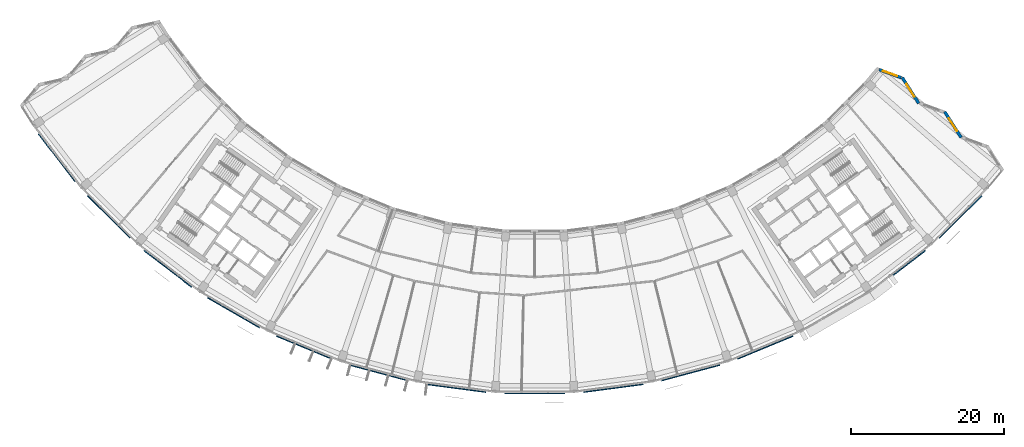
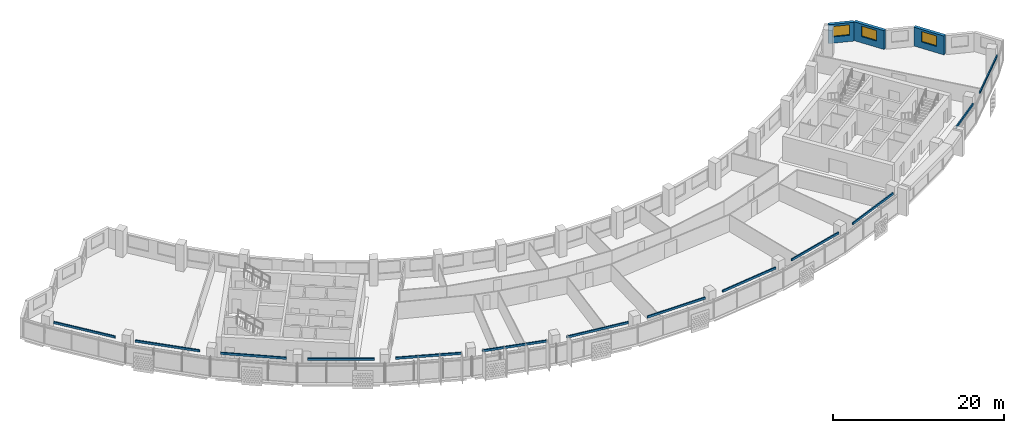
# One storey, part 8 of 27: 13 discrete accessories, 3 walls, 3 windows, 3 openings.
"""IFC4 building model written with IfcOpenShell, lengths in metres."""

from ifc_helpers import new_model, si_unit, direction, frame, frame_2d, origin, origin_2d, place, context, subcontext, project, spatial, rectangle, extrude, material, layer, layer_set, type_object, element, fill, save


model = new_model("IFC4")

# Units and contexts
model_context = context("Model", 3, precision=1e-05, world=origin(), true_north=direction((0.0, 1.0)))
body_context = subcontext(model_context, "Body", "Model", "MODEL_VIEW")
ifc_project = project(units=[si_unit("LENGTHUNIT", "METRE"), si_unit("AREAUNIT", "SQUARE_METRE"), si_unit("VOLUMEUNIT", "CUBIC_METRE"), si_unit("PLANEANGLEUNIT", "RADIAN"), si_unit("MASSUNIT", "GRAM", prefix="KILO")], contexts=[model_context])

# Site, building, storey
site_placement = place(None, origin())
site = spatial("IfcSite", under=ifc_project, at=site_placement, CompositionType="ELEMENT")
building_placement = place(site_placement, origin())
building = spatial("IfcBuilding", under=site, at=building_placement, Name="Qamariyya Broadcast Tower", CompositionType="ELEMENT")
storey_placement = place(building_placement, frame((0.0, 0.0, 237.89990234375)))
storey = spatial("IfcBuildingStorey", under=building, at=storey_placement, Name="L57", CompositionType="ELEMENT", Elevation=237.89990234375)

# Wall, opening, window
ifc_material_1 = material(Name="Terracotta", Category="masonry")
ifc_layer = layer(ifc_material_1, 0.39990234375)
ifc_layer_set = layer_set([ifc_layer], Name="Terracotta clad wall 400")
wall_type = type_object("IfcWallType", Name="Terracotta clad wall 400", PredefinedType="SOLIDWALL", material=ifc_layer_set)
wall_1_placement = place(storey_placement, frame((55.60546875, -45.20849609375, 0.0), z_axis=(0.0, 0.0, 1.0), x_axis=(-0.536800402033, 0.843709267685, 0.0)))
wall_1 = element("IfcWall", 1, at=wall_1_placement, inside=storey, type_object=wall_type, Name="e-wl-L57-capE2", PredefinedType="SOLIDWALL", context=body_context, shape_type="SweptSolid", body=[
    extrude(rectangle(XDim=3.997314453125, YDim=0.39990234375, at=frame_2d((1.99853515625, 0.0))), origin(), (0.0, 0.0, 1.0), 2.7001953125),
])
opening_1_placement = place(wall_1_placement, frame((0.998779296875, 0.0, 0.89990234375)))
opening_1 = element("IfcOpeningElement", 2, at=opening_1_placement, cuts=wall_1, Name="Opening W4", PredefinedType="OPENING", context=body_context, shape_type="SweptSolid", body=[
    extrude(rectangle(XDim=2.0, YDim=1.5, at=frame_2d((1.0, 0.75))), frame((0.0, 0.2099609375, 0.0), z_axis=(0.0, -1.0, 0.0), x_axis=(1.0, 0.0, 0.0)), (0.0, 0.0, 1.0), 0.419921875),
])
ifc_material_2 = material(Name="Clear low-e double glazed unit in aluminium frame", Category="aluminium")
window_type = type_object("IfcWindowType", Name="Horn bay window 2000 x 1500", PartitioningType="SINGLE_PANEL", PredefinedType="WINDOW", material=ifc_material_2)
window_1_placement = place(opening_1_placement, origin())
window_1 = element("IfcWindow", 3, at=window_1_placement, inside=storey, type_object=window_type, Name="e-w-L57-capE2", OverallHeight=1.5, OverallWidth=2.0, PartitioningType="SINGLE_PANEL", PredefinedType="WINDOW", context=body_context, shape_type="SweptSolid", body=[
    extrude(rectangle(XDim=2.0, YDim=1.5, at=frame_2d((1.0, 0.75))), frame((0.0, 0.030029296875, 0.0), z_axis=(0.0, -1.0, 0.0), x_axis=(1.0, 0.0, 0.0)), (0.0, 0.0, 1.0), 0.06005859375),
])
fill(opening_1, window_1)

wall_2_placement = place(storey_placement, frame((50.080810546875, -40.748779296875, 0.0), z_axis=(0.0, 0.0, 1.0), x_axis=(-0.536847834888, 0.843679087198, 0.0)))
wall_2 = element("IfcWall", 4, at=wall_2_placement, inside=storey, type_object=wall_type, Name="e-wl-L57-capE4", PredefinedType="SOLIDWALL", context=body_context, shape_type="SweptSolid", body=[
    extrude(rectangle(XDim=3.998291015625, YDim=0.39990234375, at=frame_2d((1.9990234375, 0.0))), origin(), (0.0, 0.0, 1.0), 2.7001953125),
])
opening_2_placement = place(wall_2_placement, frame((0.999267578125, 0.0, 0.89990234375)))
opening_2 = element("IfcOpeningElement", 5, at=opening_2_placement, cuts=wall_2, Name="Opening W4", PredefinedType="OPENING", context=body_context, shape_type="SweptSolid", body=[
    extrude(rectangle(XDim=2.0, YDim=1.5, at=frame_2d((1.0, 0.75))), frame((0.0, 0.2099609375, 0.0), z_axis=(0.0, -1.0, 0.0), x_axis=(1.0, 0.0, 0.0)), (0.0, 0.0, 1.0), 0.419921875),
])
window_2_placement = place(opening_2_placement, origin())
window_2 = element("IfcWindow", 6, at=window_2_placement, inside=storey, type_object=window_type, Name="e-w-L57-capE4", OverallHeight=1.5, OverallWidth=2.0, PartitioningType="SINGLE_PANEL", PredefinedType="WINDOW", context=body_context, shape_type="SweptSolid", body=[
    extrude(rectangle(XDim=2.0, YDim=1.5, at=frame_2d((1.0, 0.75))), frame((0.0, 0.030029296875, 0.0), z_axis=(0.0, -1.0, 0.0), x_axis=(1.0, 0.0, 0.0)), (0.0, 0.0, 1.0), 0.06005859375),
])
fill(opening_2, window_2)

wall_3_placement = place(storey_placement, frame((47.795654296875, -37.40185546875, 0.0), z_axis=(0.0, 0.0, 1.0), x_axis=(-0.938626026234, 0.344936491075, 0.0)))
wall_3 = element("IfcWall", 7, at=wall_3_placement, inside=storey, type_object=wall_type, Name="e-wl-L57-capE5", PredefinedType="SOLIDWALL", context=body_context, shape_type="SweptSolid", body=[
    extrude(rectangle(XDim=3.061279296875, YDim=0.39990234375, at=frame_2d((1.53076171875, 0.0))), origin(), (0.0, 0.0, 1.0), 2.7001953125),
])
opening_3_placement = place(wall_3_placement, frame((0.530517578125, 0.0, 0.89990234375)))
opening_3 = element("IfcOpeningElement", 8, at=opening_3_placement, cuts=wall_3, Name="Opening W4", PredefinedType="OPENING", context=body_context, shape_type="SweptSolid", body=[
    extrude(rectangle(XDim=2.0, YDim=1.5, at=frame_2d((1.0, 0.75))), frame((0.0, 0.2099609375, 0.0), z_axis=(0.0, -1.0, 0.0), x_axis=(1.0, 0.0, 0.0)), (0.0, 0.0, 1.0), 0.419921875),
])
window_3_placement = place(opening_3_placement, origin())
window_3 = element("IfcWindow", 9, at=window_3_placement, inside=storey, type_object=window_type, Name="e-w-L57-capE5", OverallHeight=1.5, OverallWidth=2.0, PartitioningType="SINGLE_PANEL", PredefinedType="WINDOW", context=body_context, shape_type="SweptSolid", body=[
    extrude(rectangle(XDim=2.0, YDim=1.5, at=frame_2d((1.0, 0.75))), frame((0.0, 0.030029296875, 0.0), z_axis=(0.0, -1.0, 0.0), x_axis=(1.0, 0.0, 0.0)), (0.0, 0.0, 1.0), 0.06005859375),
])
fill(opening_3, window_3)

# Discrete accessories
ifc_material_3 = material(Name="Stainless steel 316", Category="steel")
discrete_accessory_type = type_object("IfcDiscreteAccessoryType", Name="Slab edge fixing angle, stainless steel", PredefinedType="BRACKET", material=ifc_material_3)
for number, where, z_axis, x_axis, name in (
    (10, (-62.3232421875, -47.822265625, 3.30029296875), (0.0, 0.0, 1.0), (0.608761429009, -0.793353340291, 0.0), "e-br-L57-01-0"),
    (11, (-55.5478515625, -55.5478515625, 3.30029296875), (0.0, 0.0, 1.0), (0.707106781187, -0.707106781187, 0.0), "e-br-L57-02-0"),
    (12, (-47.822265625, -62.3232421875, 3.30029296875), (0.0, 0.0, 1.0), (0.793353340291, -0.608761429009, 0.0), "e-br-L57-03-0"),
    (13, (-39.2783203125, -68.031982421875, 3.30029296875), (0.0, 0.0, 1.0), (0.866025403784, -0.5, 0.0), "e-br-L57-04-0"),
    (14, (-30.062255859375, -72.576904296875, 3.30029296875), (0.0, 0.0, 1.0), (0.923879532511, -0.382683432365, 0.0), "e-br-L57-05-0"),
    (15, (-20.33203125, -75.8798828125, 3.30029296875), (0.0, 0.0, 1.0), (0.965925826289, -0.258819045103, 0.0), "e-br-L57-06-0"),
    (16, (-10.253662109375, -77.884521484375, 3.30029296875), (0.0, 0.0, 1.0), (0.991444861374, -0.13052619222, 0.0), "e-br-L57-07-0"),
    (17, (0.0, -78.556640625, 3.30029296875), (0.0, 0.0, 1.0), (1.0, 0.0, 0.0), "e-br-L57-08-0"),
    (18, (10.253662109375, -77.884521484375, 3.30029296875), (0.0, 0.0, 1.0), (0.991444861374, 0.13052619222, 0.0), "e-br-L57-09-0"),
    (19, (20.33203125, -75.8798828125, 3.30029296875), (0.0, 0.0, 1.0), (0.965925826289, 0.258819045103, 0.0), "e-br-L57-10-0"),
    (20, (30.062255859375, -72.576904296875, 3.30029296875), (0.0, 0.0, 1.0), (0.923879532511, 0.382683432365, 0.0), "e-br-L57-11-0"),
):
    element("IfcDiscreteAccessory", number, at=place(storey_placement, frame(where, z_axis=z_axis, x_axis=x_axis)), inside=storey, type_object=discrete_accessory_type, Name=name, PredefinedType="BRACKET", context=body_context, shape_type="SweptSolid", body=[
        extrude(rectangle(XDim=7.81591796875, YDim=0.14990234375, at=origin_2d()), origin(), (0.0, 0.0, 1.0), 0.300048828125),
    ])
discrete_accessory_1_placement = place(storey_placement, frame((48.842529296875, -61.540283203125, 3.30029296875), z_axis=(0.0, 0.0, 1.0), x_axis=(0.793353340291, 0.608761429009, 0.0)))
element("IfcDiscreteAccessory", 21, at=discrete_accessory_1_placement, inside=storey, type_object=discrete_accessory_type, Name="e-br-L57-13-0", PredefinedType="BRACKET", context=body_context, shape_type="SweptSolid", body=[
    extrude(rectangle(XDim=5.243896484375, YDim=0.14990234375, at=origin_2d()), origin(), (0.0, 0.0, 1.0), 0.300048828125),
])
discrete_accessory_2_placement = place(storey_placement, frame((55.5478515625, -55.5478515625, 3.30029296875), z_axis=(0.0, 0.0, 1.0), x_axis=(0.707106781187, 0.707106781187, 0.0)))
element("IfcDiscreteAccessory", 22, at=discrete_accessory_2_placement, inside=storey, type_object=discrete_accessory_type, Name="e-br-L57-14-0", PredefinedType="BRACKET", context=body_context, shape_type="SweptSolid", body=[
    extrude(rectangle(XDim=7.81591796875, YDim=0.14990234375, at=origin_2d()), origin(), (0.0, 0.0, 1.0), 0.300048828125),
])

save(model, "model.ifc")
